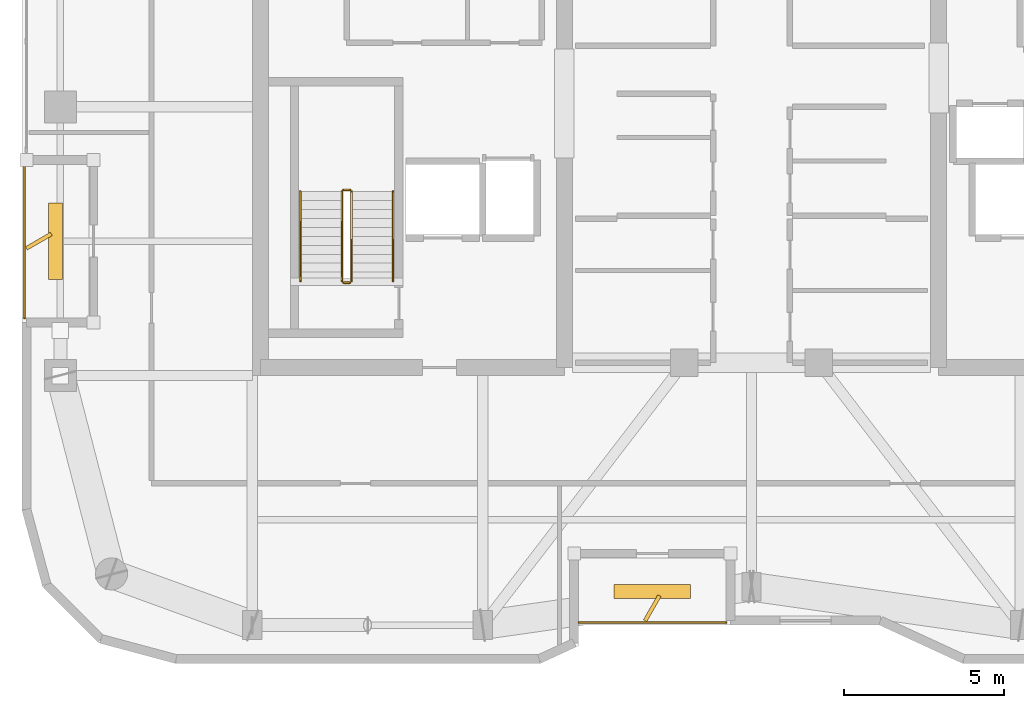
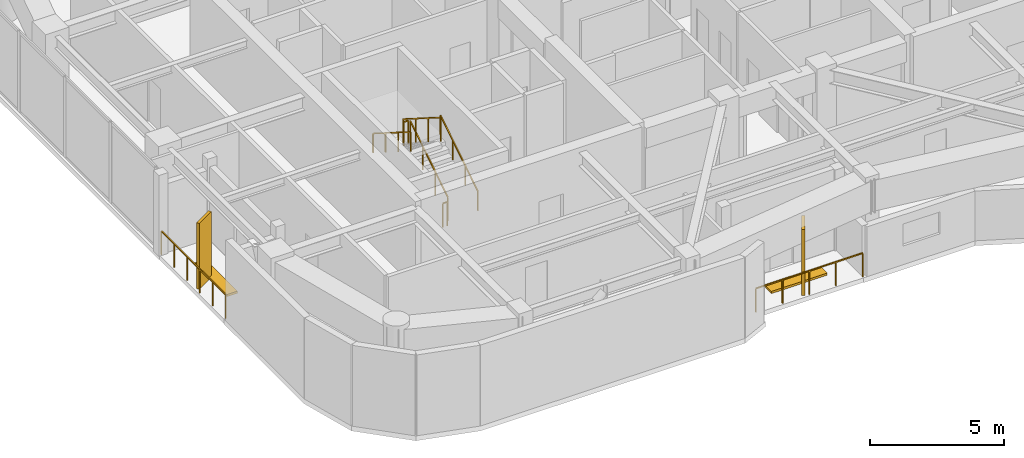
# One storey, part 14 of 15: 8 railings, 4 shading devices.
"""IFC4 building model written with IfcOpenShell, lengths in metres."""

from ifc_helpers import new_model, si_unit, direction, frame, origin, origin_2d, place, context, subcontext, project, spatial, rectangle, extrude, material, type_object, element, save


model = new_model("IFC4")

# Units and contexts
model_context = context("Model", 3, precision=1e-05, world=origin(), true_north=direction((0.0, 1.0)))
body_context = subcontext(model_context, "Body", "Model", "MODEL_VIEW")
ifc_project = project(units=[si_unit("LENGTHUNIT", "METRE"), si_unit("AREAUNIT", "SQUARE_METRE"), si_unit("VOLUMEUNIT", "CUBIC_METRE"), si_unit("PLANEANGLEUNIT", "RADIAN"), si_unit("MASSUNIT", "GRAM", prefix="KILO")], contexts=[model_context])

# Site, building, storey
site_placement = place(None, origin())
site = spatial("IfcSite", under=ifc_project, at=site_placement, CompositionType="ELEMENT")
building_placement = place(site_placement, origin())
building = spatial("IfcBuilding", under=site, at=building_placement, Name="Kiyonajd Concourse Tower", CompositionType="ELEMENT")
storey_placement = place(building_placement, frame((0.0, 0.0, 286.199951171875)))
storey = spatial("IfcBuildingStorey", under=building, at=storey_placement, Name="L72", CompositionType="ELEMENT", Elevation=286.199951171875)

# Railings
ifc_material_1 = material(Name="Thermally Broken Anodised Aluminium", Category="aluminium")
railing_type_1 = type_object("IfcRailingType", Name="RL-GRD-LOG", PredefinedType="GUARDRAIL", material=ifc_material_1)
railing_1_placement = place(storey_placement, frame((42.60009765625, 19.8798828125, 0.0)))
element("IfcRailing", 1, at=railing_1_placement, inside=storey, type_object=railing_type_1, Name="L72 Engawa Loggia Perimeter Guard LOG-S", PredefinedType="GUARDRAIL", context=body_context, shape_type="SweptSolid", body=[
    extrude(rectangle(XDim=0.048095703125, YDim=0.048095703125, at=origin_2d()), frame((0.0, 0.0, 1.076171875), z_axis=(1.0, 0.0, 0.0), x_axis=(0.0, 1.0, 0.0)), (0.0, 0.0, 1.0), 4.599853515625),
    extrude(rectangle(XDim=0.0419921875, YDim=0.0419921875, at=origin_2d()), origin(), (0.0, 0.0, 1.0), 1.052001953125),
    extrude(rectangle(XDim=0.0419921875, YDim=0.0419921875, at=origin_2d()), frame((1.14990234375, 0.0, 0.0)), (0.0, 0.0, 1.0), 1.052001953125),
    extrude(rectangle(XDim=0.0419921875, YDim=0.0419921875, at=origin_2d()), frame((2.2998046875, 0.0, 0.0)), (0.0, 0.0, 1.0), 1.052001953125),
    extrude(rectangle(XDim=0.0419921875, YDim=0.0419921875, at=origin_2d()), frame((3.449951171875, 0.0, 0.0)), (0.0, 0.0, 1.0), 1.052001953125),
    extrude(rectangle(XDim=0.0419921875, YDim=0.0419921875, at=origin_2d()), frame((4.599853515625, 0.0, 0.0)), (0.0, 0.0, 1.0), 1.052001953125),
])
railing_2_placement = place(storey_placement, frame((25.280029296875, 34.199951171875, 0.0)))
element("IfcRailing", 2, at=railing_2_placement, inside=storey, type_object=railing_type_1, Name="L72 Engawa Loggia Perimeter Guard LOG-W", PredefinedType="GUARDRAIL", context=body_context, shape_type="SweptSolid", body=[
    extrude(rectangle(XDim=0.048095703125, YDim=0.048095703125, at=origin_2d()), frame((0.0, 0.0, 1.076171875), z_axis=(0.0, -1.0, 0.0), x_axis=(1.0, 0.0, 0.0)), (0.0, 0.0, 1.0), 4.800048828125),
    extrude(rectangle(XDim=0.0419921875, YDim=0.0419921875, at=origin_2d()), origin(), (0.0, 0.0, 1.0), 1.052001953125),
    extrude(rectangle(XDim=0.0419921875, YDim=0.0419921875, at=origin_2d()), frame((0.0, -0.9599609375, 0.0)), (0.0, 0.0, 1.0), 1.052001953125),
    extrude(rectangle(XDim=0.0419921875, YDim=0.0419921875, at=origin_2d()), frame((0.0, -1.919921875, 0.0)), (0.0, 0.0, 1.0), 1.052001953125),
    extrude(rectangle(XDim=0.0419921875, YDim=0.0419921875, at=origin_2d()), frame((0.0, -2.880126953125, 0.0)), (0.0, 0.0, 1.0), 1.052001953125),
    extrude(rectangle(XDim=0.0419921875, YDim=0.0419921875, at=origin_2d()), frame((0.0, -3.840087890625, 0.0)), (0.0, 0.0, 1.0), 1.052001953125),
    extrude(rectangle(XDim=0.0419921875, YDim=0.0419921875, at=origin_2d()), frame((0.0, -4.800048828125, 0.0)), (0.0, 0.0, 1.0), 1.052001953125),
])
ifc_material_2 = material(Name="Steel ASTM A500 Grade C", Category="steel")
railing_type_2 = type_object("IfcRailingType", Name="RL-GRD-STR", PredefinedType="GUARDRAIL", material=ifc_material_2)
railing_3_placement = place(storey_placement, frame((35.5, 30.550048828125, 0.17724609375)))
element("IfcRailing", 3, at=railing_3_placement, inside=storey, type_object=railing_type_2, Name="L72 ST1 stair guard 1", PredefinedType="GUARDRAIL", context=body_context, shape_type="SweptSolid", body=[
    extrude(rectangle(XDim=0.048095703125, YDim=0.048095703125, at=origin_2d()), frame((0.0, 0.0, 1.076171875), z_axis=(0.0, 0.844908973607, 0.534910110503), x_axis=(-1.0, 0.0, 0.0)), (0.0, 0.0, 1.0), 3.31396484375),
    extrude(rectangle(XDim=0.0419921875, YDim=0.0419921875, at=origin_2d()), origin(), (0.0, 0.0, 1.0), 1.052001953125),
    extrude(rectangle(XDim=0.0419921875, YDim=0.0419921875, at=origin_2d()), frame((0.0, 0.933349609375, 0.5908203125)), (0.0, 0.0, 1.0), 1.052001953125),
    extrude(rectangle(XDim=0.0419921875, YDim=0.0419921875, at=origin_2d()), frame((0.0, 1.86669921875, 1.181884765625)), (0.0, 0.0, 1.0), 1.052001953125),
    extrude(rectangle(XDim=0.0419921875, YDim=0.0419921875, at=origin_2d()), frame((0.0, 2.800048828125, 1.772705078125)), (0.0, 0.0, 1.0), 1.052001953125),
])
railing_4_placement = place(storey_placement, frame((35.449951171875, 33.39990234375, 1.949951171875)))
element("IfcRailing", 4, at=railing_4_placement, inside=storey, type_object=railing_type_2, Name="L72 ST1 stair guard 2", PredefinedType="GUARDRAIL", context=body_context, shape_type="SweptSolid", body=[
    extrude(rectangle(XDim=0.048095703125, YDim=0.048095703125, at=origin_2d()), frame((0.0, 0.0, 1.076171875), z_axis=(-1.0, 0.0, 0.0), x_axis=(0.0, -1.0, 0.0)), (0.0, 0.0, 1.0), 0.199951171875),
    extrude(rectangle(XDim=0.0419921875, YDim=0.0419921875, at=origin_2d()), origin(), (0.0, 0.0, 1.0), 1.052001953125),
    extrude(rectangle(XDim=0.0419921875, YDim=0.0419921875, at=origin_2d()), frame((-0.199951171875, 0.0, 0.0)), (0.0, 0.0, 1.0), 1.052001953125),
])
railing_5_placement = place(storey_placement, frame((35.199951171875, 33.35009765625, 2.12744140625)))
element("IfcRailing", 5, at=railing_5_placement, inside=storey, type_object=railing_type_2, Name="L72 ST1 stair guard 3", PredefinedType="GUARDRAIL", context=body_context, shape_type="SweptSolid", body=[
    extrude(rectangle(XDim=0.048095703125, YDim=0.048095703125, at=origin_2d()), frame((0.0, 0.0, 1.076171875), z_axis=(0.0, -0.844908973607, 0.534910110503), x_axis=(1.0, 0.0, 0.0)), (0.0, 0.0, 1.0), 3.31396484375),
    extrude(rectangle(XDim=0.0419921875, YDim=0.0419921875, at=origin_2d()), origin(), (0.0, 0.0, 1.0), 1.052001953125),
    extrude(rectangle(XDim=0.0419921875, YDim=0.0419921875, at=origin_2d()), frame((0.0, -0.933349609375, 0.5908203125)), (0.0, 0.0, 1.0), 1.052001953125),
    extrude(rectangle(XDim=0.0419921875, YDim=0.0419921875, at=origin_2d()), frame((0.0, -1.86669921875, 1.181884765625)), (0.0, 0.0, 1.0), 1.052001953125),
    extrude(rectangle(XDim=0.0419921875, YDim=0.0419921875, at=origin_2d()), frame((0.0, -2.800048828125, 1.772705078125)), (0.0, 0.0, 1.0), 1.052001953125),
])
railing_6_placement = place(storey_placement, frame((35.449951171875, 30.5, 0.0)))
element("IfcRailing", 6, at=railing_6_placement, inside=storey, type_object=railing_type_2, Name="L72 ST1 stair guard 4", PredefinedType="GUARDRAIL", context=body_context, shape_type="SweptSolid", body=[
    extrude(rectangle(XDim=0.048095703125, YDim=0.048095703125, at=origin_2d()), frame((0.0, 0.0, 1.076171875), z_axis=(-1.0, 0.0, 0.0), x_axis=(0.0, -1.0, 0.0)), (0.0, 0.0, 1.0), 0.199951171875),
    extrude(rectangle(XDim=0.0419921875, YDim=0.0419921875, at=origin_2d()), origin(), (0.0, 0.0, 1.0), 1.052001953125),
    extrude(rectangle(XDim=0.0419921875, YDim=0.0419921875, at=origin_2d()), frame((-0.199951171875, 0.0, 0.0)), (0.0, 0.0, 1.0), 1.052001953125),
])
ifc_material_3 = material(Name="Brushed Stainless Steel Cab Assembly", Category="steel")
railing_type_3 = type_object("IfcRailingType", Name="RL-HND-900", PredefinedType="HANDRAIL", material=ifc_material_3)
railing_7_placement = place(storey_placement, frame((36.800048828125, 30.550048828125, 0.17724609375)))
element("IfcRailing", 7, at=railing_7_placement, inside=storey, type_object=railing_type_3, Name="L72 ST1 stair handrail 1", PredefinedType="HANDRAIL", context=body_context, shape_type="SweptSolid", body=[
    extrude(rectangle(XDim=0.048095703125, YDim=0.048095703125, at=origin_2d()), frame((0.0, 0.0, 0.8759765625), z_axis=(0.0, 0.844908973607, 0.534910110503), x_axis=(-1.0, 0.0, 0.0)), (0.0, 0.0, 1.0), 3.31396484375),
    extrude(rectangle(XDim=0.0419921875, YDim=0.0419921875, at=origin_2d()), origin(), (0.0, 0.0, 1.0), 0.851806640625),
    extrude(rectangle(XDim=0.0419921875, YDim=0.0419921875, at=origin_2d()), frame((0.0, 0.933349609375, 0.5908203125)), (0.0, 0.0, 1.0), 0.851806640625),
    extrude(rectangle(XDim=0.0419921875, YDim=0.0419921875, at=origin_2d()), frame((0.0, 1.86669921875, 1.181884765625)), (0.0, 0.0, 1.0), 0.851806640625),
    extrude(rectangle(XDim=0.0419921875, YDim=0.0419921875, at=origin_2d()), frame((0.0, 2.800048828125, 1.772705078125)), (0.0, 0.0, 1.0), 0.851806640625),
])
railing_8_placement = place(storey_placement, frame((33.89990234375, 33.35009765625, 2.12744140625)))
element("IfcRailing", 8, at=railing_8_placement, inside=storey, type_object=railing_type_3, Name="L72 ST1 stair handrail 2", PredefinedType="HANDRAIL", context=body_context, shape_type="SweptSolid", body=[
    extrude(rectangle(XDim=0.048095703125, YDim=0.048095703125, at=origin_2d()), frame((0.0, 0.0, 0.8759765625), z_axis=(0.0, -0.844908973607, 0.534910110503), x_axis=(1.0, 0.0, 0.0)), (0.0, 0.0, 1.0), 3.31396484375),
    extrude(rectangle(XDim=0.0419921875, YDim=0.0419921875, at=origin_2d()), origin(), (0.0, 0.0, 1.0), 0.851806640625),
    extrude(rectangle(XDim=0.0419921875, YDim=0.0419921875, at=origin_2d()), frame((0.0, -0.933349609375, 0.5908203125)), (0.0, 0.0, 1.0), 0.851806640625),
    extrude(rectangle(XDim=0.0419921875, YDim=0.0419921875, at=origin_2d()), frame((0.0, -1.86669921875, 1.181884765625)), (0.0, 0.0, 1.0), 0.851806640625),
    extrude(rectangle(XDim=0.0419921875, YDim=0.0419921875, at=origin_2d()), frame((0.0, -2.800048828125, 1.772705078125)), (0.0, 0.0, 1.0), 0.851806640625),
])

# Shading devices
ifc_material_4 = material(Name="Precast concrete C50/60", Category="concrete")
shading_device_type_1 = type_object("IfcShadingDeviceType", Name="SH-FIN-900", PredefinedType="USERDEFINED", material=ifc_material_4)
for number, where, z_axis, x_axis, name in (
    (9, (44.89990234375, 20.330078125, 0.0), (0.0, 0.0, 1.0), (0.5, 0.866025403784, 0.0), "L72 Angled Koshi Solar Fin LOG-S"),
    (10, (25.72998046875, 31.800048828125, 0.0), (0.0, 0.0, 1.0), (0.866025403784, 0.5, 0.0), "L72 Angled Koshi Solar Fin LOG-W"),
):
    element("IfcShadingDevice", number, at=place(storey_placement, frame(where, z_axis=z_axis, x_axis=x_axis)), inside=storey, type_object=shading_device_type_1, Name=name, ObjectType="FIN", PredefinedType="USERDEFINED", context=body_context, shape_type="SweptSolid", body=[
        extrude(rectangle(XDim=0.89990234375, YDim=0.1201171875, at=origin_2d()), origin(), (0.0, 0.0, 1.0), 3.0),
    ])
shading_device_type_2 = type_object("IfcShadingDeviceType", Name="SH-LVR-600", PredefinedType="JALOUSIE", material=ifc_material_1)
for number, where, z_axis, x_axis, name in (
    (11, (44.89990234375, 20.85009765625, 0.0), (0.0, 0.0, 1.0), (1.0, 0.0, 0.0), "L72 Loggia Threshold Louver LOG-S"),
    (12, (26.25, 31.800048828125, 0.0), (0.0, 0.0, 1.0), (0.0, 1.0, 0.0), "L72 Loggia Threshold Louver LOG-W"),
):
    element("IfcShadingDevice", number, at=place(storey_placement, frame(where, z_axis=z_axis, x_axis=x_axis)), inside=storey, type_object=shading_device_type_2, Name=name, PredefinedType="JALOUSIE", context=body_context, shape_type="SweptSolid", body=[
        extrude(rectangle(XDim=2.39990234375, YDim=0.449951171875, at=origin_2d()), origin(), (0.0, 0.0, 1.0), 0.10009765625),
    ])

save(model, "model.ifc")
